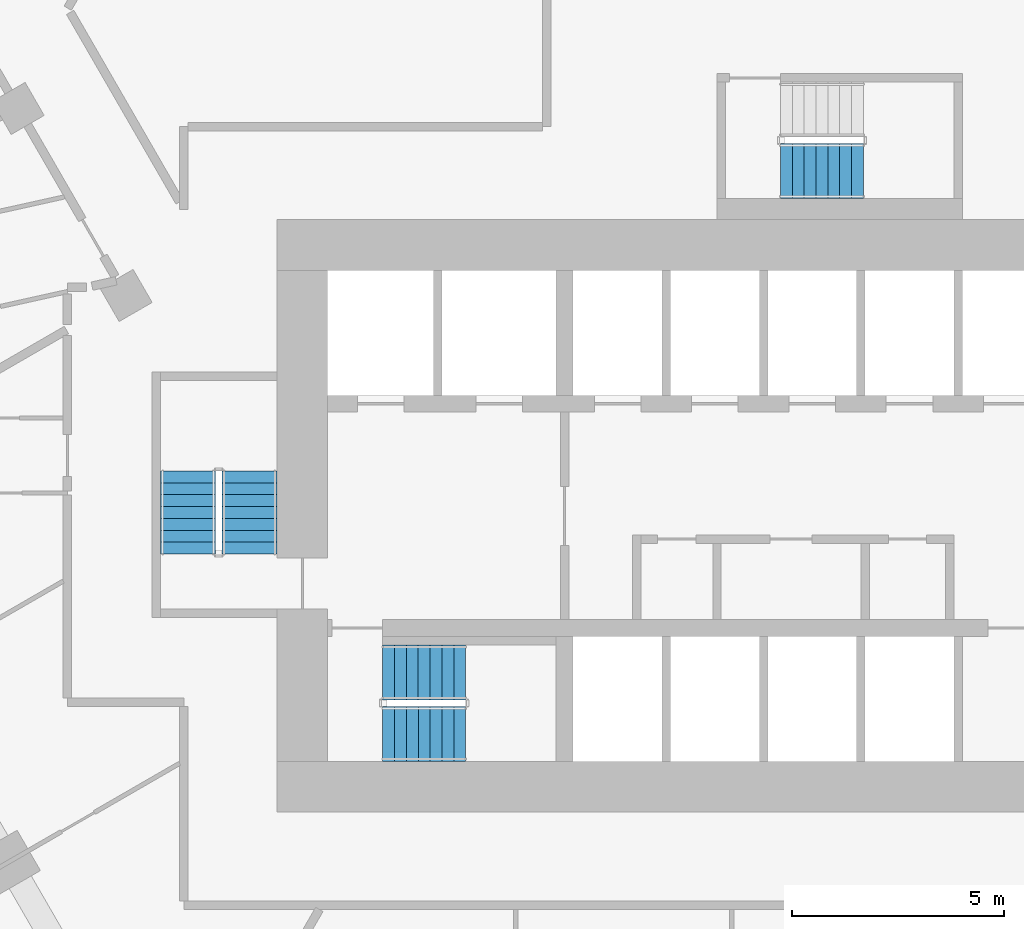
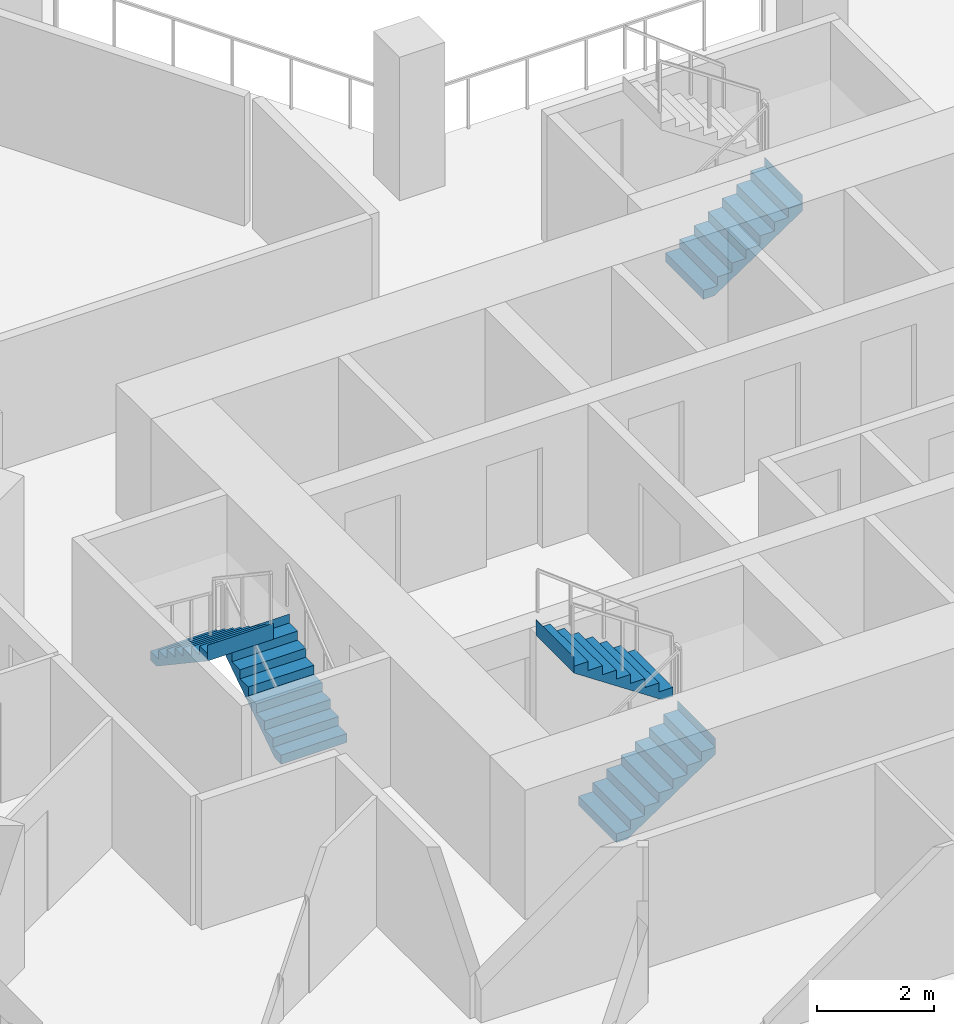
# One storey, part 11 of 16: 5 stair flights, 3 elements without a shape of their own.
"""IFC4 building model written with IfcOpenShell, lengths in metres."""

import ifcopenshell
import ifcopenshell.guid

model = None  # the IFC model being written
_history = None  # IfcOwnerHistory: only IFC2X3 demands one
_inside = {}  # id of a spatial element -> (the spatial element, [elements in it])
_under = {}  # id of a project, library or spatial element -> (it, [spatial elements below it])
_declared = {}  # id of a project -> (the project, [libraries it declares])
_typed = {}  # id of a type object -> (the type object, [elements of that type])
_made_of = {}  # id of a material, layer set ... -> (it, [elements and type objects made of it])


def new_model(schema):
    """Start an empty IFC model of exactly this schema.

    Asked for "IFC4X3", IfcOpenShell would pick the latest addendum, in which some entities
    have other attributes; the version numbers below select the first issue.
    IFC2X3 requires an IfcOwnerHistory on every rooted entity: one is made here for all.
    """
    global model, _history
    if schema == "IFC4X3":
        model = ifcopenshell.file(schema_version=(4, 3, 0, 0))
    else:
        model = ifcopenshell.file(schema=schema)
    _inside.clear()
    _under.clear()
    _declared.clear()
    _typed.clear()
    _made_of.clear()
    _history = None
    if model.schema == "IFC2X3":
        org = make("IfcOrganization", Name="unknown")
        user = make(
            "IfcPersonAndOrganization",
            ThePerson=make("IfcPerson", FamilyName="unknown"),
            TheOrganization=org,
        )
        app = make(
            "IfcApplication",
            ApplicationDeveloper=org,
            Version="unknown",
            ApplicationFullName="unknown",
            ApplicationIdentifier="unknown",
        )
        _history = make(
            "IfcOwnerHistory",
            OwningUser=user,
            OwningApplication=app,
            ChangeAction="ADDED",
            CreationDate=0,
        )
    return model


def make(cls, **values):
    """One entity of the class cls with the attributes given. An attribute that is None is left unset."""
    return model.create_entity(
        cls, **{name: value for name, value in values.items() if value is not None}
    )


def rooted(cls, **values):
    """An entity with a GlobalId (a new one), such as an element, a storey or a relation."""
    return make(cls, GlobalId=ifcopenshell.guid.new(), OwnerHistory=_history, **values)


def si_unit(unit_type, name, prefix=None):
    """IfcSIUnit, for example si_unit("LENGTHUNIT", "METRE", prefix="MILLI")."""
    return make("IfcSIUnit", UnitType=unit_type, Prefix=prefix, Name=name)


def assignment(units):
    """IfcUnitAssignment: the units of a project."""
    return None if units is None else make("IfcUnitAssignment", Units=units)


def point(xyz):
    """IfcCartesianPoint."""
    return None if xyz is None else make("IfcCartesianPoint", Coordinates=xyz)


def direction(xyz):
    """IfcDirection."""
    return None if xyz is None else make("IfcDirection", DirectionRatios=xyz)


def frame(location, z_axis=None, x_axis=None):
    """IfcAxis2Placement3D, a coordinate frame: its origin and axes. An axis left out is left unset."""
    return make(
        "IfcAxis2Placement3D",
        Location=point(location),
        Axis=direction(z_axis),
        RefDirection=direction(x_axis),
    )


def origin():
    """The frame at (0, 0, 0) with its axes left unset."""
    return frame((0.0, 0.0, 0.0))


def place(relative_to, where):
    """IfcLocalPlacement: puts the frame where relative to a parent placement (None: the world)."""
    return make(
        "IfcLocalPlacement", PlacementRelTo=relative_to, RelativePlacement=where
    )


def context(
    kind, dimensions, precision=None, world=None, true_north=None, identifier=None
):
    """IfcGeometricRepresentationContext, for example the 3D "Model" context."""
    return make(
        "IfcGeometricRepresentationContext",
        ContextIdentifier=identifier,
        ContextType=kind,
        CoordinateSpaceDimension=dimensions,
        Precision=precision,
        WorldCoordinateSystem=world,
        TrueNorth=true_north,
    )


def subcontext(parent, identifier, kind, view, scale=None):
    """IfcGeometricRepresentationSubContext, for example "Body" below "Model"."""
    return make(
        "IfcGeometricRepresentationSubContext",
        ContextIdentifier=identifier,
        ContextType=kind,
        ParentContext=parent,
        TargetScale=scale,
        TargetView=view,
    )


def project(units=None, contexts=None):
    """IfcProject with its units and contexts."""
    return rooted(
        "IfcProject",
        Name="project",
        RepresentationContexts=contexts,
        UnitsInContext=assignment(units),
    )


def spatial(cls, under=None, at=None, **own):
    """A site, building, storey or space (cls), placed at a placement, below another one or the project."""
    s = rooted(cls, ObjectPlacement=at, **own)
    if under is not None:
        _under.setdefault(under.id(), (under, []))[1].append(s)
    return s


def point_list(points):
    """IfcCartesianPointList2D or 3D."""
    cls = (
        "IfcCartesianPointList2D" if len(points[0]) == 2 else "IfcCartesianPointList3D"
    )
    return make(cls, CoordList=points)


def triangles(points, corners, closed=None, point_numbers=None):
    """IfcTriangulatedFaceSet: each triangle names its three corners, points numbered from 1."""
    return make(
        "IfcTriangulatedFaceSet",
        Coordinates=point_list(points),
        Closed=closed,
        CoordIndex=corners,
        PnIndex=point_numbers,
    )


def shape(context_of_items, identifier, shape_type, items):
    """IfcShapeRepresentation: the items that make up one representation, for example the "Body"."""
    return make(
        "IfcShapeRepresentation",
        ContextOfItems=context_of_items,
        RepresentationIdentifier=identifier,
        RepresentationType=shape_type,
        Items=items,
    )


def material(Name=None, Category=None):
    """IfcMaterial."""
    return make("IfcMaterial", Name=Name, Category=Category)


def made_of(thing, what):
    """Note that an element or type object is made of a material, layer set ...; save() writes the relation."""
    if what is not None:
        _made_of.setdefault(what.id(), (what, []))[1].append(thing)
    return thing


def type_object(cls, material=None, **own):
    """A type object (cls), such as IfcWallType, which elements share."""
    return made_of(rooted(cls, **own), material)


def element(
    cls,
    number,
    at=None,
    inside=None,
    cuts=None,
    type_object=None,
    material=None,
    context=None,
    identifier="Body",
    shape_type=None,
    held_by="IfcProductDefinitionShape",
    body=None,
    shapes=None,
    **own,
):
    """One element of the class cls, such as IfcWall. Its Tag is "e" and its number.

    at: its placement. inside: the storey or other place that contains it. cuts: it is an
    opening in that element (IfcRelVoidsElement). A single representation is given by context,
    identifier, shape_type and body (its items); several are given by shapes. held_by: the class
    of the entity that holds the representations. save() writes the other relations.
    """
    e = rooted(cls, Tag="e%d" % number, ObjectPlacement=at, **own)
    if body is not None:
        shapes = [shape(context, identifier, shape_type, body)]
    if shapes is not None:
        e.Representation = make(held_by, Representations=shapes)
    if inside is not None:
        _inside.setdefault(inside.id(), (inside, []))[1].append(e)
    if cuts is not None:
        rooted(
            "IfcRelVoidsElement", RelatingBuildingElement=cuts, RelatedOpeningElement=e
        )
    if type_object is not None:
        _typed.setdefault(type_object.id(), (type_object, []))[1].append(e)
    return made_of(e, material)


def aggregate(whole, parts):
    """IfcRelAggregates: a whole, such as a stair, and the parts it consists of."""
    return rooted("IfcRelAggregates", RelatingObject=whole, RelatedObjects=parts)


def save(model, path):
    """Write the relations noted so far, then the file.

    IfcRelAggregates (storeys below a building ...), IfcRelContainedInSpatialStructure (elements
    in a storey), IfcRelDefinesByType, IfcRelAssociatesMaterial and IfcRelDeclares: one each for
    every whole, place, type object, material and project.
    """
    for whole, parts in _under.values():
        aggregate(whole, parts)
    for where, things in _inside.values():
        rooted(
            "IfcRelContainedInSpatialStructure",
            RelatedElements=things,
            RelatingStructure=where,
        )
    for kind, things in _typed.values():
        rooted("IfcRelDefinesByType", RelatedObjects=things, RelatingType=kind)
    for what, things in _made_of.values():
        rooted("IfcRelAssociatesMaterial", RelatedObjects=things, RelatingMaterial=what)
    for by, libraries in _declared.values():
        rooted("IfcRelDeclares", RelatingContext=by, RelatedDefinitions=libraries)
    model.write(path)


model = new_model("IFC4")

# Units and contexts
model_context = context("Model", 3, precision=1e-05, world=origin(), true_north=direction((0.0, 1.0)))
body_context = subcontext(model_context, "Body", "Model", "MODEL_VIEW")
ifc_project = project(units=[si_unit("LENGTHUNIT", "METRE"), si_unit("AREAUNIT", "SQUARE_METRE"), si_unit("VOLUMEUNIT", "CUBIC_METRE"), si_unit("PLANEANGLEUNIT", "RADIAN"), si_unit("MASSUNIT", "GRAM", prefix="KILO")], contexts=[model_context])

# Site, building, storey
site_placement = place(None, origin())
site = spatial("IfcSite", under=ifc_project, at=site_placement, CompositionType="ELEMENT")
building_placement = place(site_placement, origin())
building = spatial("IfcBuilding", under=site, at=building_placement, Name="Beryl Residences", CompositionType="ELEMENT")
storey_placement = place(building_placement, frame((0.0, 0.0, 32.39990234375)))
storey = spatial("IfcBuildingStorey", under=building, at=storey_placement, Name="L09", CompositionType="ELEMENT", Elevation=32.39990234375)

# Stair, stair flights
ifc_material_1 = material(Name="Concrete C40/50", Category="concrete")
stair_type = type_object("IfcStairType", Name="ST1 protected exit stair, half-turn, 1300 mm flights", PredefinedType="HALF_TURN_STAIR", material=ifc_material_1)
stair_1_placement = place(storey_placement, origin())
stair_1 = element("IfcStair", 1, at=stair_1_placement, inside=storey, type_object=stair_type, Name="L09 PROTECTED EXIT STAIR ST-1", PredefinedType="HALF_TURN_STAIR")
ifc_material_2 = material(Name="Concrete C40/50", Category="concrete")
stair_flight_type = type_object("IfcStairFlightType", Name="SF1 stair flight 1300 mm", PredefinedType="STRAIGHT", material=ifc_material_2)
stair_flight_1_placement = place(storey_placement, frame((-10.800048828125, -17.14990234375, 0.0), z_axis=(0.0, 0.0, 1.0), x_axis=(1.0, 0.0, 0.0)))
stair_flight_1 = element("IfcStairFlight", 2, at=stair_flight_1_placement, type_object=stair_flight_type, Name="ST-1 flight 1", NumberOfRisers=8, NumberOfTreads=7, PredefinedType="STRAIGHT", RiserHeight=0.1875, TreadLength=0.28, context=body_context, shape_type="Tessellation", body=[
    triangles([(0.0, -0.64990234375, 0.0), (0.0, -0.324951171875, 0.0), (0.0, 0.0, 0.0), (0.0, 0.324951171875, 0.0), (0.0, 0.64990234375, 0.0), (0.0, -0.64990234375, 0.1875), (0.0, -0.324951171875, 0.1875), (0.0, 0.0, 0.1875), (0.0, 0.324951171875, 0.1875), (0.0, 0.64990234375, 0.1875), (0.280029296875, -0.64990234375, 0.1875), (0.280029296875, -0.324951171875, 0.1875), (0.280029296875, 0.0, 0.1875), (0.280029296875, 0.324951171875, 0.1875), (0.280029296875, 0.64990234375, 0.1875), (0.280029296875, -0.64990234375, 0.375), (0.280029296875, -0.324951171875, 0.375), (0.280029296875, 0.0, 0.375), (0.280029296875, 0.324951171875, 0.375), (0.280029296875, 0.64990234375, 0.375), (0.56005859375, -0.64990234375, 0.375), (0.56005859375, -0.324951171875, 0.375), (0.56005859375, 0.0, 0.375), (0.56005859375, 0.324951171875, 0.375), (0.56005859375, 0.64990234375, 0.375), (0.56005859375, -0.64990234375, 0.5625), (0.56005859375, -0.324951171875, 0.5625), (0.56005859375, 0.0, 0.5625), (0.56005859375, 0.324951171875, 0.5625), (0.56005859375, 0.64990234375, 0.5625), (0.840087890625, -0.64990234375, 0.5625), (0.840087890625, -0.324951171875, 0.5625), (0.840087890625, 0.0, 0.5625), (0.840087890625, 0.324951171875, 0.5625), (0.840087890625, 0.64990234375, 0.5625), (0.840087890625, -0.64990234375, 0.75), (0.840087890625, -0.324951171875, 0.75), (0.840087890625, 0.0, 0.75), (0.840087890625, 0.324951171875, 0.75), (0.840087890625, 0.64990234375, 0.75), (1.1201171875, -0.64990234375, 0.75), (1.1201171875, -0.324951171875, 0.75), (1.1201171875, 0.0, 0.75), (1.1201171875, 0.324951171875, 0.75), (1.1201171875, 0.64990234375, 0.75), (1.1201171875, -0.64990234375, 0.9375), (1.1201171875, -0.324951171875, 0.9375), (1.1201171875, 0.0, 0.9375), (1.1201171875, 0.324951171875, 0.9375), (1.1201171875, 0.64990234375, 0.9375), (1.39990234375, -0.64990234375, 0.9375), (1.39990234375, -0.324951171875, 0.9375), (1.39990234375, 0.0, 0.9375), (1.39990234375, 0.324951171875, 0.9375), (1.39990234375, 0.64990234375, 0.9375), (1.39990234375, -0.64990234375, 1.125), (1.39990234375, -0.324951171875, 1.125), (1.39990234375, 0.0, 1.125), (1.39990234375, 0.324951171875, 1.125), (1.39990234375, 0.64990234375, 1.125), (1.679931640625, -0.64990234375, 1.125), (1.679931640625, -0.324951171875, 1.125), (1.679931640625, 0.0, 1.125), (1.679931640625, 0.324951171875, 1.125), (1.679931640625, 0.64990234375, 1.125), (1.679931640625, -0.64990234375, 1.3125), (1.679931640625, -0.324951171875, 1.3125), (1.679931640625, 0.0, 1.3125), (1.679931640625, 0.324951171875, 1.3125), (1.679931640625, 0.64990234375, 1.3125), (1.9599609375, -0.64990234375, 1.3125), (1.9599609375, -0.324951171875, 1.3125), (1.9599609375, 0.0, 1.3125), (1.9599609375, 0.324951171875, 1.3125), (1.9599609375, 0.64990234375, 1.3125), (1.9599609375, -0.64990234375, 1.5), (1.9599609375, -0.324951171875, 1.5), (1.9599609375, 0.0, 1.5), (1.9599609375, 0.324951171875, 1.5), (1.9599609375, 0.64990234375, 1.5), (1.9609375, -0.64990234375, 1.5), (1.9609375, -0.324951171875, 1.5), (1.9609375, 0.0, 1.5), (1.9609375, 0.324951171875, 1.5), (1.9609375, 0.64990234375, 1.5), (1.9609375, -0.64990234375, 1.16796875), (1.9609375, -0.324951171875, 1.16796875), (1.9609375, 0.0, 1.16796875), (1.9609375, 0.324951171875, 1.16796875), (1.9609375, 0.64990234375, 1.16796875), (0.216796875, -0.64990234375, 0.0), (0.216796875, -0.324951171875, 0.0), (0.216796875, 0.0, 0.0), (0.216796875, 0.324951171875, 0.0), (0.216796875, 0.64990234375, 0.0)], [[1, 6, 7], [1, 7, 2], [2, 7, 8], [2, 8, 3], [3, 8, 9], [3, 9, 4], [4, 9, 10], [4, 10, 5], [6, 11, 12], [6, 12, 7], [7, 12, 13], [7, 13, 8], [8, 13, 14], [8, 14, 9], [9, 14, 15], [9, 15, 10], [11, 16, 17], [11, 17, 12], [12, 17, 18], [12, 18, 13], [13, 18, 19], [13, 19, 14], [14, 19, 20], [14, 20, 15], [16, 21, 22], [16, 22, 17], [17, 22, 23], [17, 23, 18], [18, 23, 24], [18, 24, 19], [19, 24, 25], [19, 25, 20], [21, 26, 27], [21, 27, 22], [22, 27, 28], [22, 28, 23], [23, 28, 29], [23, 29, 24], [24, 29, 30], [24, 30, 25], [26, 31, 32], [26, 32, 27], [27, 32, 33], [27, 33, 28], [28, 33, 34], [28, 34, 29], [29, 34, 35], [29, 35, 30], [31, 36, 37], [31, 37, 32], [32, 37, 38], [32, 38, 33], [33, 38, 39], [33, 39, 34], [34, 39, 40], [34, 40, 35], [36, 41, 42], [36, 42, 37], [37, 42, 43], [37, 43, 38], [38, 43, 44], [38, 44, 39], [39, 44, 45], [39, 45, 40], [41, 46, 47], [41, 47, 42], [42, 47, 48], [42, 48, 43], [43, 48, 49], [43, 49, 44], [44, 49, 50], [44, 50, 45], [46, 51, 52], [46, 52, 47], [47, 52, 53], [47, 53, 48], [48, 53, 54], [48, 54, 49], [49, 54, 55], [49, 55, 50], [51, 56, 57], [51, 57, 52], [52, 57, 58], [52, 58, 53], [53, 58, 59], [53, 59, 54], [54, 59, 60], [54, 60, 55], [56, 61, 62], [56, 62, 57], [57, 62, 63], [57, 63, 58], [58, 63, 64], [58, 64, 59], [59, 64, 65], [59, 65, 60], [61, 66, 67], [61, 67, 62], [62, 67, 68], [62, 68, 63], [63, 68, 69], [63, 69, 64], [64, 69, 70], [64, 70, 65], [66, 71, 72], [66, 72, 67], [67, 72, 73], [67, 73, 68], [68, 73, 74], [68, 74, 69], [69, 74, 75], [69, 75, 70], [71, 76, 77], [71, 77, 72], [72, 77, 78], [72, 78, 73], [73, 78, 79], [73, 79, 74], [74, 79, 80], [74, 80, 75], [76, 81, 82], [76, 82, 77], [77, 82, 83], [77, 83, 78], [78, 83, 84], [78, 84, 79], [79, 84, 85], [79, 85, 80], [81, 86, 87], [81, 87, 82], [82, 87, 88], [82, 88, 83], [83, 88, 89], [83, 89, 84], [84, 89, 90], [84, 90, 85], [86, 91, 92], [86, 92, 87], [87, 92, 93], [87, 93, 88], [88, 93, 94], [88, 94, 89], [89, 94, 95], [89, 95, 90], [91, 1, 2], [91, 2, 92], [92, 2, 3], [92, 3, 93], [93, 3, 4], [93, 4, 94], [94, 4, 5], [94, 5, 95], [1, 91, 86], [5, 90, 95], [86, 81, 76], [90, 80, 85], [86, 76, 71], [90, 75, 80], [86, 71, 66], [90, 70, 75], [86, 66, 61], [90, 65, 70], [61, 56, 51], [65, 55, 60], [86, 61, 51], [90, 55, 65], [51, 46, 41], [55, 45, 50], [86, 51, 41], [90, 45, 55], [41, 36, 31], [45, 35, 40], [86, 41, 31], [90, 35, 45], [31, 26, 21], [35, 25, 30], [86, 31, 21], [90, 25, 35], [21, 16, 11], [25, 15, 20], [86, 21, 11], [90, 15, 25], [1, 86, 11], [5, 15, 90], [11, 6, 1], [15, 5, 10]], closed=True),
])
stair_flight_2_placement = place(storey_placement, frame((-8.840087890625, -15.699951171875, 1.5), z_axis=(0.0, 0.0, 1.0), x_axis=(-1.0, 0.0, 0.0)))
stair_flight_2 = element("IfcStairFlight", 3, at=stair_flight_2_placement, type_object=stair_flight_type, Name="ST-1 flight 2", NumberOfRisers=8, NumberOfTreads=7, PredefinedType="STRAIGHT", RiserHeight=0.1875, TreadLength=0.28, context=body_context, shape_type="Tessellation", body=[
    triangles([(0.0, -0.64990234375, 0.0), (0.0, -0.324951171875, 0.0), (0.0, 0.0, 0.0), (0.0, 0.324951171875, 0.0), (0.0, 0.64990234375, 0.0), (0.0, -0.64990234375, 0.1875), (0.0, -0.324951171875, 0.1875), (0.0, 0.0, 0.1875), (0.0, 0.324951171875, 0.1875), (0.0, 0.64990234375, 0.1875), (0.280029296875, -0.64990234375, 0.1875), (0.280029296875, -0.324951171875, 0.1875), (0.280029296875, 0.0, 0.1875), (0.280029296875, 0.324951171875, 0.1875), (0.280029296875, 0.64990234375, 0.1875), (0.280029296875, -0.64990234375, 0.375), (0.280029296875, -0.324951171875, 0.375), (0.280029296875, 0.0, 0.375), (0.280029296875, 0.324951171875, 0.375), (0.280029296875, 0.64990234375, 0.375), (0.56005859375, -0.64990234375, 0.375), (0.56005859375, -0.324951171875, 0.375), (0.56005859375, 0.0, 0.375), (0.56005859375, 0.324951171875, 0.375), (0.56005859375, 0.64990234375, 0.375), (0.56005859375, -0.64990234375, 0.5625), (0.56005859375, -0.324951171875, 0.5625), (0.56005859375, 0.0, 0.5625), (0.56005859375, 0.324951171875, 0.5625), (0.56005859375, 0.64990234375, 0.5625), (0.840087890625, -0.64990234375, 0.5625), (0.840087890625, -0.324951171875, 0.5625), (0.840087890625, 0.0, 0.5625), (0.840087890625, 0.324951171875, 0.5625), (0.840087890625, 0.64990234375, 0.5625), (0.840087890625, -0.64990234375, 0.75), (0.840087890625, -0.324951171875, 0.75), (0.840087890625, 0.0, 0.75), (0.840087890625, 0.324951171875, 0.75), (0.840087890625, 0.64990234375, 0.75), (1.1201171875, -0.64990234375, 0.75), (1.1201171875, -0.324951171875, 0.75), (1.1201171875, 0.0, 0.75), (1.1201171875, 0.324951171875, 0.75), (1.1201171875, 0.64990234375, 0.75), (1.1201171875, -0.64990234375, 0.9375), (1.1201171875, -0.324951171875, 0.9375), (1.1201171875, 0.0, 0.9375), (1.1201171875, 0.324951171875, 0.9375), (1.1201171875, 0.64990234375, 0.9375), (1.39990234375, -0.64990234375, 0.9375), (1.39990234375, -0.324951171875, 0.9375), (1.39990234375, 0.0, 0.9375), (1.39990234375, 0.324951171875, 0.9375), (1.39990234375, 0.64990234375, 0.9375), (1.39990234375, -0.64990234375, 1.125), (1.39990234375, -0.324951171875, 1.125), (1.39990234375, 0.0, 1.125), (1.39990234375, 0.324951171875, 1.125), (1.39990234375, 0.64990234375, 1.125), (1.679931640625, -0.64990234375, 1.125), (1.679931640625, -0.324951171875, 1.125), (1.679931640625, 0.0, 1.125), (1.679931640625, 0.324951171875, 1.125), (1.679931640625, 0.64990234375, 1.125), (1.679931640625, -0.64990234375, 1.3125), (1.679931640625, -0.324951171875, 1.3125), (1.679931640625, 0.0, 1.3125), (1.679931640625, 0.324951171875, 1.3125), (1.679931640625, 0.64990234375, 1.3125), (1.9599609375, -0.64990234375, 1.3125), (1.9599609375, -0.324951171875, 1.3125), (1.9599609375, 0.0, 1.3125), (1.9599609375, 0.324951171875, 1.3125), (1.9599609375, 0.64990234375, 1.3125), (1.9599609375, -0.64990234375, 1.5), (1.9599609375, -0.324951171875, 1.5), (1.9599609375, 0.0, 1.5), (1.9599609375, 0.324951171875, 1.5), (1.9599609375, 0.64990234375, 1.5), (1.9609375, -0.64990234375, 1.5), (1.9609375, -0.324951171875, 1.5), (1.9609375, 0.0, 1.5), (1.9609375, 0.324951171875, 1.5), (1.9609375, 0.64990234375, 1.5), (1.9609375, -0.64990234375, 1.16796875), (1.9609375, -0.324951171875, 1.16796875), (1.9609375, 0.0, 1.16796875), (1.9609375, 0.324951171875, 1.16796875), (1.9609375, 0.64990234375, 1.16796875), (0.216796875, -0.64990234375, 0.0), (0.216796875, -0.324951171875, 0.0), (0.216796875, 0.0, 0.0), (0.216796875, 0.324951171875, 0.0), (0.216796875, 0.64990234375, 0.0)], [[1, 6, 7], [1, 7, 2], [2, 7, 8], [2, 8, 3], [3, 8, 9], [3, 9, 4], [4, 9, 10], [4, 10, 5], [6, 11, 12], [6, 12, 7], [7, 12, 13], [7, 13, 8], [8, 13, 14], [8, 14, 9], [9, 14, 15], [9, 15, 10], [11, 16, 17], [11, 17, 12], [12, 17, 18], [12, 18, 13], [13, 18, 19], [13, 19, 14], [14, 19, 20], [14, 20, 15], [16, 21, 22], [16, 22, 17], [17, 22, 23], [17, 23, 18], [18, 23, 24], [18, 24, 19], [19, 24, 25], [19, 25, 20], [21, 26, 27], [21, 27, 22], [22, 27, 28], [22, 28, 23], [23, 28, 29], [23, 29, 24], [24, 29, 30], [24, 30, 25], [26, 31, 32], [26, 32, 27], [27, 32, 33], [27, 33, 28], [28, 33, 34], [28, 34, 29], [29, 34, 35], [29, 35, 30], [31, 36, 37], [31, 37, 32], [32, 37, 38], [32, 38, 33], [33, 38, 39], [33, 39, 34], [34, 39, 40], [34, 40, 35], [36, 41, 42], [36, 42, 37], [37, 42, 43], [37, 43, 38], [38, 43, 44], [38, 44, 39], [39, 44, 45], [39, 45, 40], [41, 46, 47], [41, 47, 42], [42, 47, 48], [42, 48, 43], [43, 48, 49], [43, 49, 44], [44, 49, 50], [44, 50, 45], [46, 51, 52], [46, 52, 47], [47, 52, 53], [47, 53, 48], [48, 53, 54], [48, 54, 49], [49, 54, 55], [49, 55, 50], [51, 56, 57], [51, 57, 52], [52, 57, 58], [52, 58, 53], [53, 58, 59], [53, 59, 54], [54, 59, 60], [54, 60, 55], [56, 61, 62], [56, 62, 57], [57, 62, 63], [57, 63, 58], [58, 63, 64], [58, 64, 59], [59, 64, 65], [59, 65, 60], [61, 66, 67], [61, 67, 62], [62, 67, 68], [62, 68, 63], [63, 68, 69], [63, 69, 64], [64, 69, 70], [64, 70, 65], [66, 71, 72], [66, 72, 67], [67, 72, 73], [67, 73, 68], [68, 73, 74], [68, 74, 69], [69, 74, 75], [69, 75, 70], [71, 76, 77], [71, 77, 72], [72, 77, 78], [72, 78, 73], [73, 78, 79], [73, 79, 74], [74, 79, 80], [74, 80, 75], [76, 81, 82], [76, 82, 77], [77, 82, 83], [77, 83, 78], [78, 83, 84], [78, 84, 79], [79, 84, 85], [79, 85, 80], [81, 86, 87], [81, 87, 82], [82, 87, 88], [82, 88, 83], [83, 88, 89], [83, 89, 84], [84, 89, 90], [84, 90, 85], [86, 91, 92], [86, 92, 87], [87, 92, 93], [87, 93, 88], [88, 93, 94], [88, 94, 89], [89, 94, 95], [89, 95, 90], [91, 1, 2], [91, 2, 92], [92, 2, 3], [92, 3, 93], [93, 3, 4], [93, 4, 94], [94, 4, 5], [94, 5, 95], [1, 91, 86], [5, 90, 95], [86, 81, 76], [90, 80, 85], [86, 76, 71], [90, 75, 80], [86, 71, 66], [90, 70, 75], [86, 66, 61], [90, 65, 70], [61, 56, 51], [65, 55, 60], [86, 61, 51], [90, 55, 65], [51, 46, 41], [55, 45, 50], [86, 51, 41], [90, 45, 55], [41, 36, 31], [45, 35, 40], [86, 41, 31], [90, 35, 45], [31, 26, 21], [35, 25, 30], [86, 31, 21], [90, 25, 35], [21, 16, 11], [25, 15, 20], [86, 21, 11], [90, 15, 25], [1, 86, 11], [5, 15, 90], [11, 6, 1], [15, 5, 10]], closed=True),
])
aggregate(stair_1, [stair_flight_1, stair_flight_2])

stair_2_placement = place(storey_placement, origin())
stair_2 = element("IfcStair", 4, at=stair_2_placement, inside=storey, type_object=stair_type, Name="L09 PROTECTED EXIT STAIR ST-2", PredefinedType="HALF_TURN_STAIR")
stair_flight_3_placement = place(storey_placement, frame((-13.949951171875, -12.89990234375, 0.0), z_axis=(0.0, 0.0, 1.0), x_axis=(0.0, 1.0, 0.0)))
stair_flight_3 = element("IfcStairFlight", 5, at=stair_flight_3_placement, type_object=stair_flight_type, Name="ST-2 flight 1", NumberOfRisers=8, NumberOfTreads=7, PredefinedType="STRAIGHT", RiserHeight=0.1875, TreadLength=0.28, context=body_context, shape_type="Tessellation", body=[
    triangles([(0.0, -0.64990234375, 0.0), (0.0, -0.324951171875, 0.0), (0.0, 0.0, 0.0), (0.0, 0.324951171875, 0.0), (0.0, 0.64990234375, 0.0), (0.0, -0.64990234375, 0.1875), (0.0, -0.324951171875, 0.1875), (0.0, 0.0, 0.1875), (0.0, 0.324951171875, 0.1875), (0.0, 0.64990234375, 0.1875), (0.280029296875, -0.64990234375, 0.1875), (0.280029296875, -0.324951171875, 0.1875), (0.280029296875, 0.0, 0.1875), (0.280029296875, 0.324951171875, 0.1875), (0.280029296875, 0.64990234375, 0.1875), (0.280029296875, -0.64990234375, 0.375), (0.280029296875, -0.324951171875, 0.375), (0.280029296875, 0.0, 0.375), (0.280029296875, 0.324951171875, 0.375), (0.280029296875, 0.64990234375, 0.375), (0.56005859375, -0.64990234375, 0.375), (0.56005859375, -0.324951171875, 0.375), (0.56005859375, 0.0, 0.375), (0.56005859375, 0.324951171875, 0.375), (0.56005859375, 0.64990234375, 0.375), (0.56005859375, -0.64990234375, 0.5625), (0.56005859375, -0.324951171875, 0.5625), (0.56005859375, 0.0, 0.5625), (0.56005859375, 0.324951171875, 0.5625), (0.56005859375, 0.64990234375, 0.5625), (0.840087890625, -0.64990234375, 0.5625), (0.840087890625, -0.324951171875, 0.5625), (0.840087890625, 0.0, 0.5625), (0.840087890625, 0.324951171875, 0.5625), (0.840087890625, 0.64990234375, 0.5625), (0.840087890625, -0.64990234375, 0.75), (0.840087890625, -0.324951171875, 0.75), (0.840087890625, 0.0, 0.75), (0.840087890625, 0.324951171875, 0.75), (0.840087890625, 0.64990234375, 0.75), (1.1201171875, -0.64990234375, 0.75), (1.1201171875, -0.324951171875, 0.75), (1.1201171875, 0.0, 0.75), (1.1201171875, 0.324951171875, 0.75), (1.1201171875, 0.64990234375, 0.75), (1.1201171875, -0.64990234375, 0.9375), (1.1201171875, -0.324951171875, 0.9375), (1.1201171875, 0.0, 0.9375), (1.1201171875, 0.324951171875, 0.9375), (1.1201171875, 0.64990234375, 0.9375), (1.39990234375, -0.64990234375, 0.9375), (1.39990234375, -0.324951171875, 0.9375), (1.39990234375, 0.0, 0.9375), (1.39990234375, 0.324951171875, 0.9375), (1.39990234375, 0.64990234375, 0.9375), (1.39990234375, -0.64990234375, 1.125), (1.39990234375, -0.324951171875, 1.125), (1.39990234375, 0.0, 1.125), (1.39990234375, 0.324951171875, 1.125), (1.39990234375, 0.64990234375, 1.125), (1.679931640625, -0.64990234375, 1.125), (1.679931640625, -0.324951171875, 1.125), (1.679931640625, 0.0, 1.125), (1.679931640625, 0.324951171875, 1.125), (1.679931640625, 0.64990234375, 1.125), (1.679931640625, -0.64990234375, 1.3125), (1.679931640625, -0.324951171875, 1.3125), (1.679931640625, 0.0, 1.3125), (1.679931640625, 0.324951171875, 1.3125), (1.679931640625, 0.64990234375, 1.3125), (1.9599609375, -0.64990234375, 1.3125), (1.9599609375, -0.324951171875, 1.3125), (1.9599609375, 0.0, 1.3125), (1.9599609375, 0.324951171875, 1.3125), (1.9599609375, 0.64990234375, 1.3125), (1.9599609375, -0.64990234375, 1.5), (1.9599609375, -0.324951171875, 1.5), (1.9599609375, 0.0, 1.5), (1.9599609375, 0.324951171875, 1.5), (1.9599609375, 0.64990234375, 1.5), (1.9609375, -0.64990234375, 1.5), (1.9609375, -0.324951171875, 1.5), (1.9609375, 0.0, 1.5), (1.9609375, 0.324951171875, 1.5), (1.9609375, 0.64990234375, 1.5), (1.9609375, -0.64990234375, 1.16796875), (1.9609375, -0.324951171875, 1.16796875), (1.9609375, 0.0, 1.16796875), (1.9609375, 0.324951171875, 1.16796875), (1.9609375, 0.64990234375, 1.16796875), (0.216796875, -0.64990234375, 0.0), (0.216796875, -0.324951171875, 0.0), (0.216796875, 0.0, 0.0), (0.216796875, 0.324951171875, 0.0), (0.216796875, 0.64990234375, 0.0)], [[1, 6, 7], [1, 7, 2], [2, 7, 8], [2, 8, 3], [3, 8, 9], [3, 9, 4], [4, 9, 10], [4, 10, 5], [6, 11, 12], [6, 12, 7], [7, 12, 13], [7, 13, 8], [8, 13, 14], [8, 14, 9], [9, 14, 15], [9, 15, 10], [11, 16, 17], [11, 17, 12], [12, 17, 18], [12, 18, 13], [13, 18, 19], [13, 19, 14], [14, 19, 20], [14, 20, 15], [16, 21, 22], [16, 22, 17], [17, 22, 23], [17, 23, 18], [18, 23, 24], [18, 24, 19], [19, 24, 25], [19, 25, 20], [21, 26, 27], [21, 27, 22], [22, 27, 28], [22, 28, 23], [23, 28, 29], [23, 29, 24], [24, 29, 30], [24, 30, 25], [26, 31, 32], [26, 32, 27], [27, 32, 33], [27, 33, 28], [28, 33, 34], [28, 34, 29], [29, 34, 35], [29, 35, 30], [31, 36, 37], [31, 37, 32], [32, 37, 38], [32, 38, 33], [33, 38, 39], [33, 39, 34], [34, 39, 40], [34, 40, 35], [36, 41, 42], [36, 42, 37], [37, 42, 43], [37, 43, 38], [38, 43, 44], [38, 44, 39], [39, 44, 45], [39, 45, 40], [41, 46, 47], [41, 47, 42], [42, 47, 48], [42, 48, 43], [43, 48, 49], [43, 49, 44], [44, 49, 50], [44, 50, 45], [46, 51, 52], [46, 52, 47], [47, 52, 53], [47, 53, 48], [48, 53, 54], [48, 54, 49], [49, 54, 55], [49, 55, 50], [51, 56, 57], [51, 57, 52], [52, 57, 58], [52, 58, 53], [53, 58, 59], [53, 59, 54], [54, 59, 60], [54, 60, 55], [56, 61, 62], [56, 62, 57], [57, 62, 63], [57, 63, 58], [58, 63, 64], [58, 64, 59], [59, 64, 65], [59, 65, 60], [61, 66, 67], [61, 67, 62], [62, 67, 68], [62, 68, 63], [63, 68, 69], [63, 69, 64], [64, 69, 70], [64, 70, 65], [66, 71, 72], [66, 72, 67], [67, 72, 73], [67, 73, 68], [68, 73, 74], [68, 74, 69], [69, 74, 75], [69, 75, 70], [71, 76, 77], [71, 77, 72], [72, 77, 78], [72, 78, 73], [73, 78, 79], [73, 79, 74], [74, 79, 80], [74, 80, 75], [76, 81, 82], [76, 82, 77], [77, 82, 83], [77, 83, 78], [78, 83, 84], [78, 84, 79], [79, 84, 85], [79, 85, 80], [81, 86, 87], [81, 87, 82], [82, 87, 88], [82, 88, 83], [83, 88, 89], [83, 89, 84], [84, 89, 90], [84, 90, 85], [86, 91, 92], [86, 92, 87], [87, 92, 93], [87, 93, 88], [88, 93, 94], [88, 94, 89], [89, 94, 95], [89, 95, 90], [91, 1, 2], [91, 2, 92], [92, 2, 3], [92, 3, 93], [93, 3, 4], [93, 4, 94], [94, 4, 5], [94, 5, 95], [1, 91, 86], [5, 90, 95], [86, 81, 76], [90, 80, 85], [86, 76, 71], [90, 75, 80], [86, 71, 66], [90, 70, 75], [86, 66, 61], [90, 65, 70], [61, 56, 51], [65, 55, 60], [86, 61, 51], [90, 55, 65], [51, 46, 41], [55, 45, 50], [86, 51, 41], [90, 45, 55], [41, 36, 31], [45, 35, 40], [86, 41, 31], [90, 35, 45], [31, 26, 21], [35, 25, 30], [86, 31, 21], [90, 25, 35], [21, 16, 11], [25, 15, 20], [86, 21, 11], [90, 15, 25], [1, 86, 11], [5, 15, 90], [11, 6, 1], [15, 5, 10]], closed=True),
])
stair_flight_4_placement = place(storey_placement, frame((-15.39990234375, -10.93994140625, 1.5), z_axis=(0.0, 0.0, 1.0), x_axis=(0.0, -1.0, 0.0)))
stair_flight_4 = element("IfcStairFlight", 6, at=stair_flight_4_placement, type_object=stair_flight_type, Name="ST-2 flight 2", NumberOfRisers=8, NumberOfTreads=7, PredefinedType="STRAIGHT", RiserHeight=0.1875, TreadLength=0.28, context=body_context, shape_type="Tessellation", body=[
    triangles([(0.0, -0.64990234375, 0.0), (0.0, -0.324951171875, 0.0), (0.0, 0.0, 0.0), (0.0, 0.324951171875, 0.0), (0.0, 0.64990234375, 0.0), (0.0, -0.64990234375, 0.1875), (0.0, -0.324951171875, 0.1875), (0.0, 0.0, 0.1875), (0.0, 0.324951171875, 0.1875), (0.0, 0.64990234375, 0.1875), (0.280029296875, -0.64990234375, 0.1875), (0.280029296875, -0.324951171875, 0.1875), (0.280029296875, 0.0, 0.1875), (0.280029296875, 0.324951171875, 0.1875), (0.280029296875, 0.64990234375, 0.1875), (0.280029296875, -0.64990234375, 0.375), (0.280029296875, -0.324951171875, 0.375), (0.280029296875, 0.0, 0.375), (0.280029296875, 0.324951171875, 0.375), (0.280029296875, 0.64990234375, 0.375), (0.56005859375, -0.64990234375, 0.375), (0.56005859375, -0.324951171875, 0.375), (0.56005859375, 0.0, 0.375), (0.56005859375, 0.324951171875, 0.375), (0.56005859375, 0.64990234375, 0.375), (0.56005859375, -0.64990234375, 0.5625), (0.56005859375, -0.324951171875, 0.5625), (0.56005859375, 0.0, 0.5625), (0.56005859375, 0.324951171875, 0.5625), (0.56005859375, 0.64990234375, 0.5625), (0.840087890625, -0.64990234375, 0.5625), (0.840087890625, -0.324951171875, 0.5625), (0.840087890625, 0.0, 0.5625), (0.840087890625, 0.324951171875, 0.5625), (0.840087890625, 0.64990234375, 0.5625), (0.840087890625, -0.64990234375, 0.75), (0.840087890625, -0.324951171875, 0.75), (0.840087890625, 0.0, 0.75), (0.840087890625, 0.324951171875, 0.75), (0.840087890625, 0.64990234375, 0.75), (1.1201171875, -0.64990234375, 0.75), (1.1201171875, -0.324951171875, 0.75), (1.1201171875, 0.0, 0.75), (1.1201171875, 0.324951171875, 0.75), (1.1201171875, 0.64990234375, 0.75), (1.1201171875, -0.64990234375, 0.9375), (1.1201171875, -0.324951171875, 0.9375), (1.1201171875, 0.0, 0.9375), (1.1201171875, 0.324951171875, 0.9375), (1.1201171875, 0.64990234375, 0.9375), (1.39990234375, -0.64990234375, 0.9375), (1.39990234375, -0.324951171875, 0.9375), (1.39990234375, 0.0, 0.9375), (1.39990234375, 0.324951171875, 0.9375), (1.39990234375, 0.64990234375, 0.9375), (1.39990234375, -0.64990234375, 1.125), (1.39990234375, -0.324951171875, 1.125), (1.39990234375, 0.0, 1.125), (1.39990234375, 0.324951171875, 1.125), (1.39990234375, 0.64990234375, 1.125), (1.679931640625, -0.64990234375, 1.125), (1.679931640625, -0.324951171875, 1.125), (1.679931640625, 0.0, 1.125), (1.679931640625, 0.324951171875, 1.125), (1.679931640625, 0.64990234375, 1.125), (1.679931640625, -0.64990234375, 1.3125), (1.679931640625, -0.324951171875, 1.3125), (1.679931640625, 0.0, 1.3125), (1.679931640625, 0.324951171875, 1.3125), (1.679931640625, 0.64990234375, 1.3125), (1.9599609375, -0.64990234375, 1.3125), (1.9599609375, -0.324951171875, 1.3125), (1.9599609375, 0.0, 1.3125), (1.9599609375, 0.324951171875, 1.3125), (1.9599609375, 0.64990234375, 1.3125), (1.9599609375, -0.64990234375, 1.5), (1.9599609375, -0.324951171875, 1.5), (1.9599609375, 0.0, 1.5), (1.9599609375, 0.324951171875, 1.5), (1.9599609375, 0.64990234375, 1.5), (1.9609375, -0.64990234375, 1.5), (1.9609375, -0.324951171875, 1.5), (1.9609375, 0.0, 1.5), (1.9609375, 0.324951171875, 1.5), (1.9609375, 0.64990234375, 1.5), (1.9609375, -0.64990234375, 1.16796875), (1.9609375, -0.324951171875, 1.16796875), (1.9609375, 0.0, 1.16796875), (1.9609375, 0.324951171875, 1.16796875), (1.9609375, 0.64990234375, 1.16796875), (0.216796875, -0.64990234375, 0.0), (0.216796875, -0.324951171875, 0.0), (0.216796875, 0.0, 0.0), (0.216796875, 0.324951171875, 0.0), (0.216796875, 0.64990234375, 0.0)], [[1, 6, 7], [1, 7, 2], [2, 7, 8], [2, 8, 3], [3, 8, 9], [3, 9, 4], [4, 9, 10], [4, 10, 5], [6, 11, 12], [6, 12, 7], [7, 12, 13], [7, 13, 8], [8, 13, 14], [8, 14, 9], [9, 14, 15], [9, 15, 10], [11, 16, 17], [11, 17, 12], [12, 17, 18], [12, 18, 13], [13, 18, 19], [13, 19, 14], [14, 19, 20], [14, 20, 15], [16, 21, 22], [16, 22, 17], [17, 22, 23], [17, 23, 18], [18, 23, 24], [18, 24, 19], [19, 24, 25], [19, 25, 20], [21, 26, 27], [21, 27, 22], [22, 27, 28], [22, 28, 23], [23, 28, 29], [23, 29, 24], [24, 29, 30], [24, 30, 25], [26, 31, 32], [26, 32, 27], [27, 32, 33], [27, 33, 28], [28, 33, 34], [28, 34, 29], [29, 34, 35], [29, 35, 30], [31, 36, 37], [31, 37, 32], [32, 37, 38], [32, 38, 33], [33, 38, 39], [33, 39, 34], [34, 39, 40], [34, 40, 35], [36, 41, 42], [36, 42, 37], [37, 42, 43], [37, 43, 38], [38, 43, 44], [38, 44, 39], [39, 44, 45], [39, 45, 40], [41, 46, 47], [41, 47, 42], [42, 47, 48], [42, 48, 43], [43, 48, 49], [43, 49, 44], [44, 49, 50], [44, 50, 45], [46, 51, 52], [46, 52, 47], [47, 52, 53], [47, 53, 48], [48, 53, 54], [48, 54, 49], [49, 54, 55], [49, 55, 50], [51, 56, 57], [51, 57, 52], [52, 57, 58], [52, 58, 53], [53, 58, 59], [53, 59, 54], [54, 59, 60], [54, 60, 55], [56, 61, 62], [56, 62, 57], [57, 62, 63], [57, 63, 58], [58, 63, 64], [58, 64, 59], [59, 64, 65], [59, 65, 60], [61, 66, 67], [61, 67, 62], [62, 67, 68], [62, 68, 63], [63, 68, 69], [63, 69, 64], [64, 69, 70], [64, 70, 65], [66, 71, 72], [66, 72, 67], [67, 72, 73], [67, 73, 68], [68, 73, 74], [68, 74, 69], [69, 74, 75], [69, 75, 70], [71, 76, 77], [71, 77, 72], [72, 77, 78], [72, 78, 73], [73, 78, 79], [73, 79, 74], [74, 79, 80], [74, 80, 75], [76, 81, 82], [76, 82, 77], [77, 82, 83], [77, 83, 78], [78, 83, 84], [78, 84, 79], [79, 84, 85], [79, 85, 80], [81, 86, 87], [81, 87, 82], [82, 87, 88], [82, 88, 83], [83, 88, 89], [83, 89, 84], [84, 89, 90], [84, 90, 85], [86, 91, 92], [86, 92, 87], [87, 92, 93], [87, 93, 88], [88, 93, 94], [88, 94, 89], [89, 94, 95], [89, 95, 90], [91, 1, 2], [91, 2, 92], [92, 2, 3], [92, 3, 93], [93, 3, 4], [93, 4, 94], [94, 4, 5], [94, 5, 95], [1, 91, 86], [5, 90, 95], [86, 81, 76], [90, 80, 85], [86, 76, 71], [90, 75, 80], [86, 71, 66], [90, 70, 75], [86, 66, 61], [90, 65, 70], [61, 56, 51], [65, 55, 60], [86, 61, 51], [90, 55, 65], [51, 46, 41], [55, 45, 50], [86, 51, 41], [90, 45, 55], [41, 36, 31], [45, 35, 40], [86, 41, 31], [90, 35, 45], [31, 26, 21], [35, 25, 30], [86, 31, 21], [90, 25, 35], [21, 16, 11], [25, 15, 20], [86, 21, 11], [90, 15, 25], [1, 86, 11], [5, 15, 90], [11, 6, 1], [15, 5, 10]], closed=True),
])
aggregate(stair_2, [stair_flight_3, stair_flight_4])

# Stair, stair flight
stair_3_placement = place(storey_placement, origin())
stair_3 = element("IfcStair", 7, at=stair_3_placement, inside=storey, type_object=stair_type, Name="L09 PROTECTED EXIT STAIR ST-4", PredefinedType="HALF_TURN_STAIR")
stair_flight_5_placement = place(storey_placement, frame((-1.39990234375, -3.85009765625, 0.0), z_axis=(0.0, 0.0, 1.0), x_axis=(1.0, 0.0, 0.0)))
stair_flight_5 = element("IfcStairFlight", 8, at=stair_flight_5_placement, type_object=stair_flight_type, Name="ST-4 flight 1", NumberOfRisers=8, NumberOfTreads=7, PredefinedType="STRAIGHT", RiserHeight=0.1875, TreadLength=0.28, context=body_context, shape_type="Tessellation", body=[
    triangles([(0.0, -0.64990234375, 0.0), (0.0, -0.324951171875, 0.0), (0.0, 0.0, 0.0), (0.0, 0.324951171875, 0.0), (0.0, 0.64990234375, 0.0), (0.0, -0.64990234375, 0.1875), (0.0, -0.324951171875, 0.1875), (0.0, 0.0, 0.1875), (0.0, 0.324951171875, 0.1875), (0.0, 0.64990234375, 0.1875), (0.280029296875, -0.64990234375, 0.1875), (0.280029296875, -0.324951171875, 0.1875), (0.280029296875, 0.0, 0.1875), (0.280029296875, 0.324951171875, 0.1875), (0.280029296875, 0.64990234375, 0.1875), (0.280029296875, -0.64990234375, 0.375), (0.280029296875, -0.324951171875, 0.375), (0.280029296875, 0.0, 0.375), (0.280029296875, 0.324951171875, 0.375), (0.280029296875, 0.64990234375, 0.375), (0.56005859375, -0.64990234375, 0.375), (0.56005859375, -0.324951171875, 0.375), (0.56005859375, 0.0, 0.375), (0.56005859375, 0.324951171875, 0.375), (0.56005859375, 0.64990234375, 0.375), (0.56005859375, -0.64990234375, 0.5625), (0.56005859375, -0.324951171875, 0.5625), (0.56005859375, 0.0, 0.5625), (0.56005859375, 0.324951171875, 0.5625), (0.56005859375, 0.64990234375, 0.5625), (0.840087890625, -0.64990234375, 0.5625), (0.840087890625, -0.324951171875, 0.5625), (0.840087890625, 0.0, 0.5625), (0.840087890625, 0.324951171875, 0.5625), (0.840087890625, 0.64990234375, 0.5625), (0.840087890625, -0.64990234375, 0.75), (0.840087890625, -0.324951171875, 0.75), (0.840087890625, 0.0, 0.75), (0.840087890625, 0.324951171875, 0.75), (0.840087890625, 0.64990234375, 0.75), (1.1201171875, -0.64990234375, 0.75), (1.1201171875, -0.324951171875, 0.75), (1.1201171875, 0.0, 0.75), (1.1201171875, 0.324951171875, 0.75), (1.1201171875, 0.64990234375, 0.75), (1.1201171875, -0.64990234375, 0.9375), (1.1201171875, -0.324951171875, 0.9375), (1.1201171875, 0.0, 0.9375), (1.1201171875, 0.324951171875, 0.9375), (1.1201171875, 0.64990234375, 0.9375), (1.39990234375, -0.64990234375, 0.9375), (1.39990234375, -0.324951171875, 0.9375), (1.39990234375, 0.0, 0.9375), (1.39990234375, 0.324951171875, 0.9375), (1.39990234375, 0.64990234375, 0.9375), (1.39990234375, -0.64990234375, 1.125), (1.39990234375, -0.324951171875, 1.125), (1.39990234375, 0.0, 1.125), (1.39990234375, 0.324951171875, 1.125), (1.39990234375, 0.64990234375, 1.125), (1.679931640625, -0.64990234375, 1.125), (1.679931640625, -0.324951171875, 1.125), (1.679931640625, 0.0, 1.125), (1.679931640625, 0.324951171875, 1.125), (1.679931640625, 0.64990234375, 1.125), (1.679931640625, -0.64990234375, 1.3125), (1.679931640625, -0.324951171875, 1.3125), (1.679931640625, 0.0, 1.3125), (1.679931640625, 0.324951171875, 1.3125), (1.679931640625, 0.64990234375, 1.3125), (1.9599609375, -0.64990234375, 1.3125), (1.9599609375, -0.324951171875, 1.3125), (1.9599609375, 0.0, 1.3125), (1.9599609375, 0.324951171875, 1.3125), (1.9599609375, 0.64990234375, 1.3125), (1.9599609375, -0.64990234375, 1.5), (1.9599609375, -0.324951171875, 1.5), (1.9599609375, 0.0, 1.5), (1.9599609375, 0.324951171875, 1.5), (1.9599609375, 0.64990234375, 1.5), (1.9609375, -0.64990234375, 1.5), (1.9609375, -0.324951171875, 1.5), (1.9609375, 0.0, 1.5), (1.9609375, 0.324951171875, 1.5), (1.9609375, 0.64990234375, 1.5), (1.9609375, -0.64990234375, 1.16796875), (1.9609375, -0.324951171875, 1.16796875), (1.9609375, 0.0, 1.16796875), (1.9609375, 0.324951171875, 1.16796875), (1.9609375, 0.64990234375, 1.16796875), (0.216796875, -0.64990234375, 0.0), (0.216796875, -0.324951171875, 0.0), (0.216796875, 0.0, 0.0), (0.216796875, 0.324951171875, 0.0), (0.216796875, 0.64990234375, 0.0)], [[1, 6, 7], [1, 7, 2], [2, 7, 8], [2, 8, 3], [3, 8, 9], [3, 9, 4], [4, 9, 10], [4, 10, 5], [6, 11, 12], [6, 12, 7], [7, 12, 13], [7, 13, 8], [8, 13, 14], [8, 14, 9], [9, 14, 15], [9, 15, 10], [11, 16, 17], [11, 17, 12], [12, 17, 18], [12, 18, 13], [13, 18, 19], [13, 19, 14], [14, 19, 20], [14, 20, 15], [16, 21, 22], [16, 22, 17], [17, 22, 23], [17, 23, 18], [18, 23, 24], [18, 24, 19], [19, 24, 25], [19, 25, 20], [21, 26, 27], [21, 27, 22], [22, 27, 28], [22, 28, 23], [23, 28, 29], [23, 29, 24], [24, 29, 30], [24, 30, 25], [26, 31, 32], [26, 32, 27], [27, 32, 33], [27, 33, 28], [28, 33, 34], [28, 34, 29], [29, 34, 35], [29, 35, 30], [31, 36, 37], [31, 37, 32], [32, 37, 38], [32, 38, 33], [33, 38, 39], [33, 39, 34], [34, 39, 40], [34, 40, 35], [36, 41, 42], [36, 42, 37], [37, 42, 43], [37, 43, 38], [38, 43, 44], [38, 44, 39], [39, 44, 45], [39, 45, 40], [41, 46, 47], [41, 47, 42], [42, 47, 48], [42, 48, 43], [43, 48, 49], [43, 49, 44], [44, 49, 50], [44, 50, 45], [46, 51, 52], [46, 52, 47], [47, 52, 53], [47, 53, 48], [48, 53, 54], [48, 54, 49], [49, 54, 55], [49, 55, 50], [51, 56, 57], [51, 57, 52], [52, 57, 58], [52, 58, 53], [53, 58, 59], [53, 59, 54], [54, 59, 60], [54, 60, 55], [56, 61, 62], [56, 62, 57], [57, 62, 63], [57, 63, 58], [58, 63, 64], [58, 64, 59], [59, 64, 65], [59, 65, 60], [61, 66, 67], [61, 67, 62], [62, 67, 68], [62, 68, 63], [63, 68, 69], [63, 69, 64], [64, 69, 70], [64, 70, 65], [66, 71, 72], [66, 72, 67], [67, 72, 73], [67, 73, 68], [68, 73, 74], [68, 74, 69], [69, 74, 75], [69, 75, 70], [71, 76, 77], [71, 77, 72], [72, 77, 78], [72, 78, 73], [73, 78, 79], [73, 79, 74], [74, 79, 80], [74, 80, 75], [76, 81, 82], [76, 82, 77], [77, 82, 83], [77, 83, 78], [78, 83, 84], [78, 84, 79], [79, 84, 85], [79, 85, 80], [81, 86, 87], [81, 87, 82], [82, 87, 88], [82, 88, 83], [83, 88, 89], [83, 89, 84], [84, 89, 90], [84, 90, 85], [86, 91, 92], [86, 92, 87], [87, 92, 93], [87, 93, 88], [88, 93, 94], [88, 94, 89], [89, 94, 95], [89, 95, 90], [91, 1, 2], [91, 2, 92], [92, 2, 3], [92, 3, 93], [93, 3, 4], [93, 4, 94], [94, 4, 5], [94, 5, 95], [1, 91, 86], [5, 90, 95], [86, 81, 76], [90, 80, 85], [86, 76, 71], [90, 75, 80], [86, 71, 66], [90, 70, 75], [86, 66, 61], [90, 65, 70], [61, 56, 51], [65, 55, 60], [86, 61, 51], [90, 55, 65], [51, 46, 41], [55, 45, 50], [86, 51, 41], [90, 45, 55], [41, 36, 31], [45, 35, 40], [86, 41, 31], [90, 35, 45], [31, 26, 21], [35, 25, 30], [86, 31, 21], [90, 25, 35], [21, 16, 11], [25, 15, 20], [86, 21, 11], [90, 15, 25], [1, 86, 11], [5, 15, 90], [11, 6, 1], [15, 5, 10]], closed=True),
])
aggregate(stair_3, [stair_flight_5])

save(model, "model.ifc")
